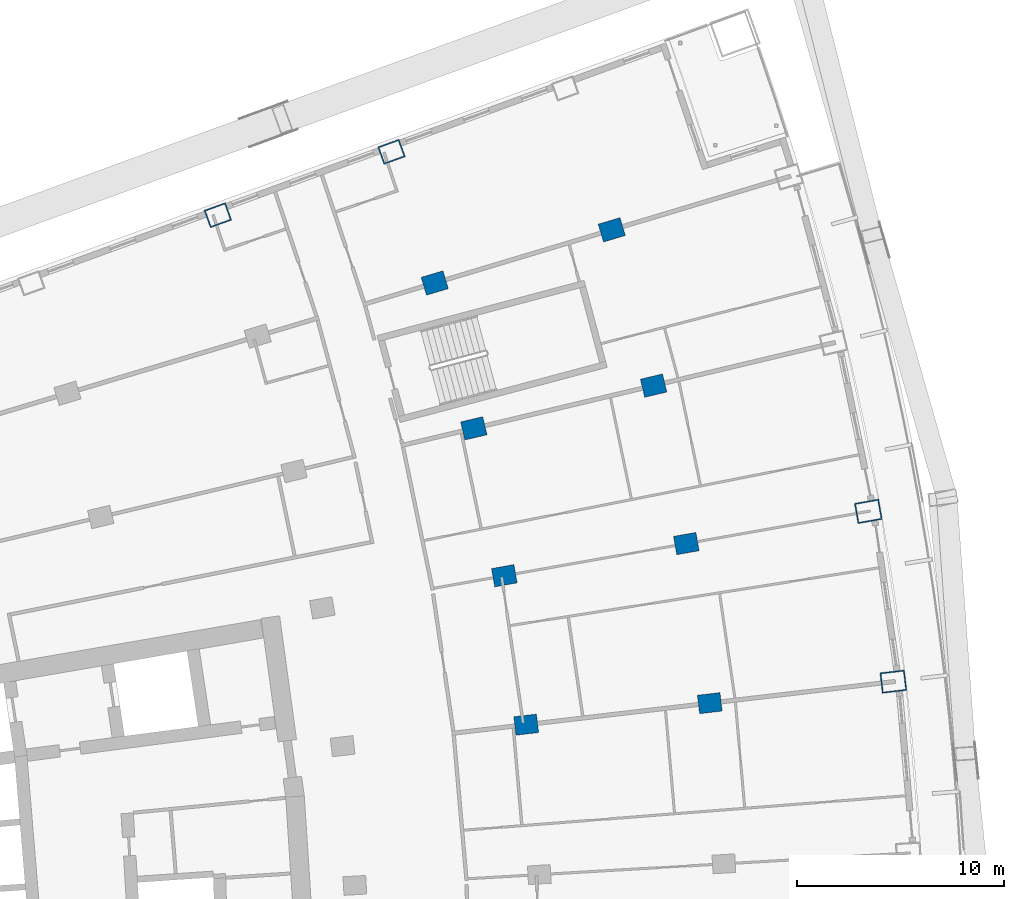
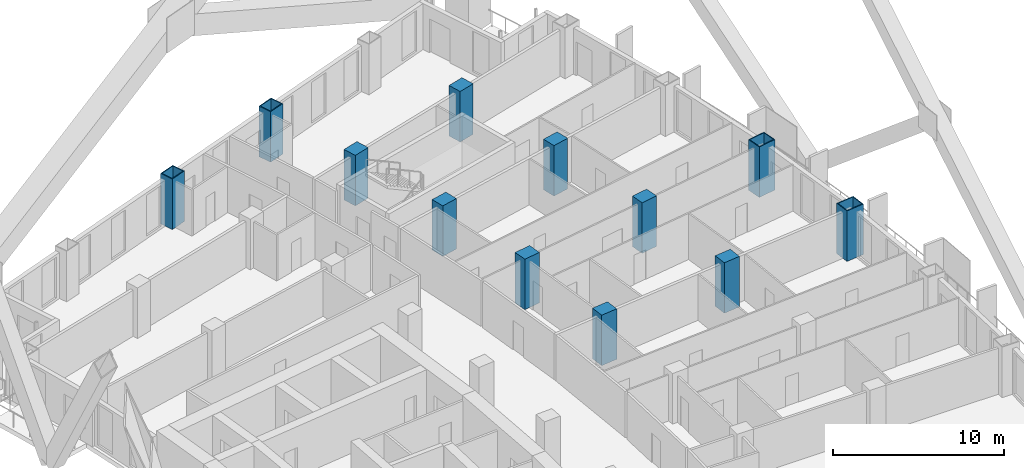
# One storey, part 7 of 23: 12 columns.
"""IFC4 building model written with IfcOpenShell, lengths in metres."""

from ifc_helpers import new_model, si_unit, direction, frame, origin, origin_2d, place, context, subcontext, project, spatial, rectangle, hollow_rectangle, extrude, material, material_profile, profile_set, type_object, element, save


model = new_model("IFC4")

# Units and contexts
model_context = context("Model", 3, precision=1e-05, world=origin(), true_north=direction((0.0, 1.0)))
body_context = subcontext(model_context, "Body", "Model", "MODEL_VIEW")
ifc_project = project(units=[si_unit("LENGTHUNIT", "METRE"), si_unit("AREAUNIT", "SQUARE_METRE"), si_unit("VOLUMEUNIT", "CUBIC_METRE"), si_unit("PLANEANGLEUNIT", "RADIAN"), si_unit("MASSUNIT", "GRAM", prefix="KILO")], contexts=[model_context])

# Site, building, storey
site_placement = place(None, origin())
site = spatial("IfcSite", under=ifc_project, at=site_placement, CompositionType="ELEMENT")
building_placement = place(site_placement, origin())
building = spatial("IfcBuilding", under=site, at=building_placement, Name="Alderwake Tower", CompositionType="ELEMENT")
storey_placement = place(building_placement, frame((0.0, 0.0, 53.60009765625)))
storey = spatial("IfcBuildingStorey", under=building, at=storey_placement, Name="L12", CompositionType="ELEMENT", Elevation=53.60009765625)

# Columns
ifc_material_1 = material(Name="Steel ASTM A572 Grade 50 concrete filled C70/85", Category="concrete")
ifc_material_profile_1 = material_profile(ifc_material_1, hollow_rectangle(XDim=0.89990234375, YDim=1.10009765625, WallThickness=0.06005859375, at=origin_2d()), Name="BOX 1100X900X60")
ifc_profile_set_1 = profile_set([ifc_material_profile_1], Name="Steel ASTM A572 Grade 50 concrete filled C70/85")
column_type_1 = type_object("IfcColumnType", Name="End column Z1", PredefinedType="COLUMN", material=ifc_profile_set_1)
for number, where, z_axis, x_axis, name in (
    (1, (28.983642578125, 100.143310546875, 0.0), (0.0, 0.0, 1.0), (-0.338026774049, 0.941136493834, 0.0), "Column R13-C2"),
    (2, (37.37548828125, 103.206787109375, 0.0), (0.0, 0.0, 1.0), (-0.338374980629, 0.941011356193, 0.0), "Column R13-C3"),
):
    element("IfcColumn", number, at=place(storey_placement, frame(where, z_axis=z_axis, x_axis=x_axis)), inside=storey, type_object=column_type_1, Name=name, PredefinedType="COLUMN", context=body_context, shape_type="SweptSolid", body=[
        extrude(hollow_rectangle(XDim=0.89990234375, YDim=1.10009765625, WallThickness=0.06005859375, at=origin_2d()), origin(), (0.0, 0.0, 1.0), 3.599853515625),
    ])
ifc_material_2 = material(Name="Concrete C70/85", Category="concrete")
ifc_material_profile_2 = material_profile(ifc_material_2, rectangle(XDim=0.89990234375, YDim=1.10009765625, at=origin_2d()), Name="RC 1100X900")
ifc_profile_set_2 = profile_set([ifc_material_profile_2], Name="Concrete C70/85")
column_type_2 = type_object("IfcColumnType", Name="Interior column Z1", PredefinedType="COLUMN", material=ifc_profile_set_2)
for number, where, z_axis, x_axis, name in (
    (3, (43.885498046875, 75.519287109375, 0.0), (0.0, 0.0, 1.0), (-0.116402054316, 0.993202175668, 0.0), "Column R09-C3"),
    (4, (52.758056640625, 76.55908203125, 0.0), (0.0, 0.0, 1.0), (-0.116402054316, 0.993202175668, 0.0), "Column R09-C4"),
    (5, (42.828125, 82.717041015625, 0.0), (0.0, 0.0, 1.0), (-0.174108800747, 0.984726421654, 0.0), "Column R10-C3"),
    (6, (51.625, 84.2724609375, 0.0), (0.0, 0.0, 1.0), (-0.174108800747, 0.984726421654, 0.0), "Column R10-C4"),
    (7, (41.353271484375, 89.841064453125, 0.0), (0.0, 0.0, 1.0), (-0.231221547198, 0.972901123502, 0.0), "Column R11-C3"),
    (8, (50.04443359375, 91.90673828125, 0.0), (0.0, 0.0, 1.0), (-0.231221547198, 0.972901123502, 0.0), "Column R11-C4"),
    (9, (39.46533203125, 96.866943359375, 0.0), (0.0, 0.0, 1.0), (-0.287549418125, 0.957765802342, 0.0), "Column R12-C3"),
    (10, (48.021484375, 99.435791015625, 0.0), (0.0, 0.0, 1.0), (-0.287549418125, 0.957765802342, 0.0), "Column R12-C4"),
):
    element("IfcColumn", number, at=place(storey_placement, frame(where, z_axis=z_axis, x_axis=x_axis)), inside=storey, type_object=column_type_2, Name=name, PredefinedType="COLUMN", context=body_context, shape_type="SweptSolid", body=[
        extrude(rectangle(XDim=0.89990234375, YDim=1.10009765625, at=origin_2d()), origin(), (0.0, 0.0, 1.0), 3.599853515625),
    ])
ifc_material_3 = material(Name="Steel ASTM A572 Grade 50 concrete filled C70/85", Category="concrete")
ifc_material_profile_3 = material_profile(ifc_material_3, hollow_rectangle(XDim=1.0, YDim=1.199951171875, WallThickness=0.06005859375, at=origin_2d()), Name="BOX 1200X1000X60")
ifc_profile_set_3 = profile_set([ifc_material_profile_3], Name="Steel ASTM A572 Grade 50 concrete filled C70/85")
column_type_3 = type_object("IfcColumnType", Name="Perimeter column Z1", PredefinedType="COLUMN", material=ifc_profile_set_3)
for number, where, z_axis, x_axis, name in (
    (11, (61.630615234375, 77.59912109375, 0.0), (0.0, 0.0, 1.0), (-0.116402054316, 0.993202175668, 0.0), "Column R09-C5"),
    (12, (60.422119140625, 85.827880859375, 0.0), (0.0, 0.0, 1.0), (-0.174108800747, 0.984726421654, 0.0), "Column R10-C5"),
):
    element("IfcColumn", number, at=place(storey_placement, frame(where, z_axis=z_axis, x_axis=x_axis)), inside=storey, type_object=column_type_3, Name=name, PredefinedType="COLUMN", context=body_context, shape_type="SweptSolid", body=[
        extrude(hollow_rectangle(XDim=1.0, YDim=1.199951171875, WallThickness=0.06005859375, at=origin_2d()), origin(), (0.0, 0.0, 1.0), 3.599853515625),
    ])

save(model, "model.ifc")
